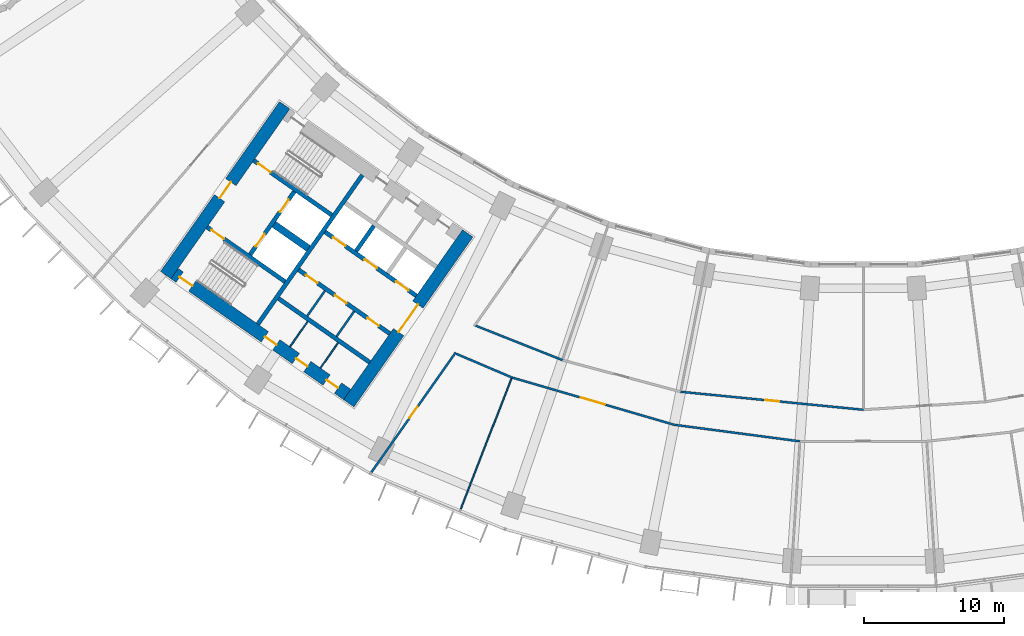
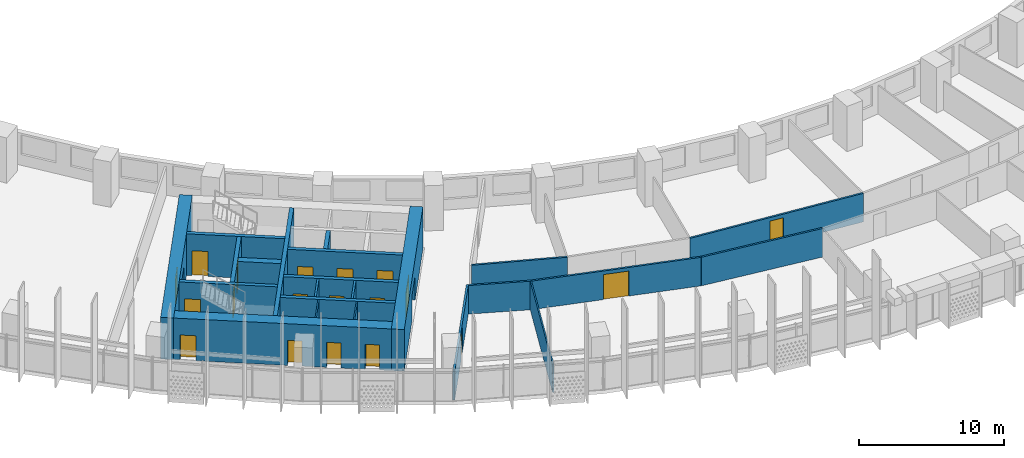
# One storey, part 3 of 32: 23 walls, 19 doors, 19 openings.
"""IFC4 building model written with IfcOpenShell, lengths in metres."""

from ifc_helpers import new_model, si_unit, direction, frame, frame_2d, origin, place, context, subcontext, project, spatial, rectangle, extrude, material, layer, layer_set, type_object, element, fill, save


model = new_model("IFC4")

# Units and contexts
model_context = context("Model", 3, precision=1e-05, world=origin(), true_north=direction((0.0, 1.0)))
body_context = subcontext(model_context, "Body", "Model", "MODEL_VIEW")
ifc_project = project(units=[si_unit("LENGTHUNIT", "METRE"), si_unit("AREAUNIT", "SQUARE_METRE"), si_unit("VOLUMEUNIT", "CUBIC_METRE"), si_unit("PLANEANGLEUNIT", "RADIAN"), si_unit("MASSUNIT", "GRAM", prefix="KILO")], contexts=[model_context])

# Site, building, storey
site_placement = place(None, origin())
site = spatial("IfcSite", under=ifc_project, at=site_placement, CompositionType="ELEMENT")
building_placement = place(site_placement, origin())
building = spatial("IfcBuilding", under=site, at=building_placement, Name="Qamariyya Broadcast Tower", CompositionType="ELEMENT")
storey_placement = place(building_placement, frame((0.0, 0.0, 63.300048828125)))
storey = spatial("IfcBuildingStorey", under=building, at=storey_placement, Name="L12", CompositionType="ELEMENT", Elevation=63.300048828125)

# Wall, opening, door
ifc_material_1 = material(Name="Concrete C70/85", Category="concrete")
ifc_layer_1 = layer(ifc_material_1, 0.89990234375)
ifc_layer_set_1 = layer_set([ifc_layer_1], Name="Core wall 900 mm Concrete C70/85")
wall_type_1 = type_object("IfcWallType", Name="Core wall 900 mm Concrete C70/85", PredefinedType="SHEAR", material=ifc_layer_set_1)
wall_1_placement = place(storey_placement, frame((-36.716796875, -66.3369140625, 0.0), z_axis=(0.0, 0.0, 1.0), x_axis=(0.573577477574, 0.819151315216, 0.0)))
wall_1 = element("IfcWall", 1, at=wall_1_placement, inside=storey, type_object=wall_type_1, Name="k-W-L12-WA", PredefinedType="SHEAR", context=body_context, shape_type="SweptSolid", body=[
    extrude(rectangle(XDim=14.800048828125, YDim=0.89990234375, at=frame_2d((7.39990234375, 0.0))), origin(), (0.0, 0.0, 1.0), 3.5),
])
opening_1_placement = place(wall_1_placement, frame((6.199951171875, 0.0, 0.0)))
opening_1 = element("IfcOpeningElement", 2, at=opening_1_placement, cuts=wall_1, Name="Opening KD3-W1", PredefinedType="OPENING", context=body_context, shape_type="SweptSolid", body=[
    extrude(rectangle(XDim=2.39990234375, YDim=2.10009765625, at=frame_2d((1.199951171875, 1.050048828125))), frame((0.0, 0.4599609375, 0.0), z_axis=(0.0, -1.0, 0.0), x_axis=(1.0, 0.0, 0.0)), (0.0, 0.0, 1.0), 0.919921875),
])
ifc_material_2 = material(Name="Steel fire-resisting door leaf", Category="steel")
door_type_1 = type_object("IfcDoorType", Name="Lift lobby door KD3", OperationType="DOUBLE_DOOR_SINGLE_SWING", PredefinedType="DOOR", material=ifc_material_2)
door_1_placement = place(opening_1_placement, origin())
door_1 = element("IfcDoor", 3, at=door_1_placement, inside=storey, type_object=door_type_1, Name="k-W-L12-WA-D1", OperationType="DOUBLE_DOOR_SINGLE_SWING", OverallHeight=2.10009765625, OverallWidth=2.39990234375, PredefinedType="DOOR", context=body_context, shape_type="SweptSolid", body=[
    extrude(rectangle(XDim=2.39990234375, YDim=2.10009765625, at=frame_2d((1.199951171875, 1.050048828125))), frame((0.0, 0.02490234375, 0.0), z_axis=(0.0, -1.0, 0.0), x_axis=(1.0, 0.0, 0.0)), (0.0, 0.0, 1.0), 0.050048828125),
])
fill(opening_1, door_1)

wall_2_placement = place(storey_placement, frame((-49.778564453125, -57.191162109375, 0.0), z_axis=(0.0, 0.0, 1.0), x_axis=(0.573577477574, 0.819151315216, 0.0)))
wall_2 = element("IfcWall", 4, at=wall_2_placement, inside=storey, type_object=wall_type_1, Name="k-W-L12-WH", PredefinedType="SHEAR", context=body_context, shape_type="SweptSolid", body=[
    extrude(rectangle(XDim=14.800048828125, YDim=0.89990234375, at=frame_2d((7.39990234375, 0.0))), origin(), (0.0, 0.0, 1.0), 3.5),
])
opening_2_placement = place(wall_2_placement, frame((6.699951171875, 0.0, 0.0)))
opening_2 = element("IfcOpeningElement", 5, at=opening_2_placement, cuts=wall_2, Name="Opening KD2-W1", PredefinedType="OPENING", context=body_context, shape_type="SweptSolid", body=[
    extrude(rectangle(XDim=1.39990234375, YDim=2.10009765625, at=frame_2d((0.699951171875, 1.050048828125))), frame((0.0, 0.4599609375, 0.0), z_axis=(0.0, -1.0, 0.0), x_axis=(1.0, 0.0, 0.0)), (0.0, 0.0, 1.0), 0.919921875),
])
door_type_2 = type_object("IfcDoorType", Name="Fire-fighting lobby door KD2", OperationType="DOUBLE_DOOR_SINGLE_SWING", PredefinedType="DOOR", material=ifc_material_2)
door_2_placement = place(opening_2_placement, origin())
door_2 = element("IfcDoor", 6, at=door_2_placement, inside=storey, type_object=door_type_2, Name="k-W-L12-WH-D16", OperationType="DOUBLE_DOOR_SINGLE_SWING", OverallHeight=2.10009765625, OverallWidth=1.39990234375, PredefinedType="DOOR", context=body_context, shape_type="SweptSolid", body=[
    extrude(rectangle(XDim=1.39990234375, YDim=2.10009765625, at=frame_2d((0.699951171875, 1.050048828125))), frame((0.0, 0.02490234375, 0.0), z_axis=(0.0, -1.0, 0.0), x_axis=(1.0, 0.0, 0.0)), (0.0, 0.0, 1.0), 0.050048828125),
])
fill(opening_2, door_2)

# Wall, openings, doors
wall_3_placement = place(storey_placement, frame((-36.827392578125, -65.710205078125, 0.0), z_axis=(0.0, 0.0, 1.0), x_axis=(-0.819153391756, 0.573574511963, 0.0)))
wall_3 = element("IfcWall", 7, at=wall_3_placement, inside=storey, type_object=wall_type_1, Name="k-W-L12-WO", PredefinedType="SHEAR", context=body_context, shape_type="SweptSolid", body=[
    extrude(rectangle(XDim=15.04541015625, YDim=0.89990234375, at=frame_2d((7.522705078125, 0.0))), origin(), (0.0, 0.0, 1.0), 3.5),
])
opening_3_placement = place(wall_3_placement, frame((0.800048828125, 0.0, 0.0)))
opening_3 = element("IfcOpeningElement", 8, at=opening_3_placement, cuts=wall_3, Name="Opening KD4-W2", PredefinedType="OPENING", context=body_context, shape_type="SweptSolid", body=[
    extrude(rectangle(XDim=1.0, YDim=2.10009765625, at=frame_2d((0.5, 1.050048828125))), frame((0.0, 0.4599609375, 0.0), z_axis=(0.0, -1.0, 0.0), x_axis=(1.0, 0.0, 0.0)), (0.0, 0.0, 1.0), 0.919921875),
])
opening_4_placement = place(wall_3_placement, frame((3.47509765625, 0.0, 0.0)))
opening_4 = element("IfcOpeningElement", 9, at=opening_4_placement, cuts=wall_3, Name="Opening KD4-W3", PredefinedType="OPENING", context=body_context, shape_type="SweptSolid", body=[
    extrude(rectangle(XDim=1.0, YDim=2.10009765625, at=frame_2d((0.5, 1.050048828125))), frame((0.0, 0.4599609375, 0.0), z_axis=(0.0, -1.0, 0.0), x_axis=(1.0, 0.0, 0.0)), (0.0, 0.0, 1.0), 0.919921875),
])
opening_5_placement = place(wall_3_placement, frame((6.175048828125, 0.0, 0.0)))
opening_5 = element("IfcOpeningElement", 10, at=opening_5_placement, cuts=wall_3, Name="Opening KD4-W4", PredefinedType="OPENING", context=body_context, shape_type="SweptSolid", body=[
    extrude(rectangle(XDim=1.0, YDim=2.10009765625, at=frame_2d((0.5, 1.050048828125))), frame((0.0, 0.4599609375, 0.0), z_axis=(0.0, -1.0, 0.0), x_axis=(1.0, 0.0, 0.0)), (0.0, 0.0, 1.0), 0.919921875),
])
opening_6_placement = place(wall_3_placement, frame((13.495361328125, 0.0, 0.0)))
opening_6 = element("IfcOpeningElement", 11, at=opening_6_placement, cuts=wall_3, Name="Opening KD1-W3", PredefinedType="OPENING", context=body_context, shape_type="SweptSolid", body=[
    extrude(rectangle(XDim=1.10009765625, YDim=2.10009765625, at=frame_2d((0.550048828125, 1.050048828125))), frame((0.0, 0.4599609375, 0.0), z_axis=(0.0, -1.0, 0.0), x_axis=(1.0, 0.0, 0.0)), (0.0, 0.0, 1.0), 0.919921875),
])
door_type_3 = type_object("IfcDoorType", Name="Riser and plant door KD4", OperationType="SINGLE_SWING_LEFT", PredefinedType="DOOR", material=ifc_material_2)
door_3_placement = place(opening_3_placement, origin())
door_3 = element("IfcDoor", 12, at=door_3_placement, inside=storey, type_object=door_type_3, Name="k-W-L12-WO-D11", OperationType="SINGLE_SWING_RIGHT", OverallHeight=2.10009765625, OverallWidth=1.0, PredefinedType="DOOR", context=body_context, shape_type="SweptSolid", body=[
    extrude(rectangle(XDim=1.0, YDim=2.10009765625, at=frame_2d((0.5, 1.050048828125))), frame((0.0, 0.02490234375, 0.0), z_axis=(0.0, -1.0, 0.0), x_axis=(1.0, 0.0, 0.0)), (0.0, 0.0, 1.0), 0.050048828125),
])
fill(opening_3, door_3)
door_4_placement = place(opening_4_placement, origin())
door_4 = element("IfcDoor", 13, at=door_4_placement, inside=storey, type_object=door_type_3, Name="k-W-L12-WO-D12", OperationType="SINGLE_SWING_LEFT", OverallHeight=2.10009765625, OverallWidth=1.0, PredefinedType="DOOR", context=body_context, shape_type="SweptSolid", body=[
    extrude(rectangle(XDim=1.0, YDim=2.10009765625, at=frame_2d((0.5, 1.050048828125))), frame((0.0, 0.02490234375, 0.0), z_axis=(0.0, -1.0, 0.0), x_axis=(1.0, 0.0, 0.0)), (0.0, 0.0, 1.0), 0.050048828125),
])
fill(opening_4, door_4)
door_5_placement = place(opening_5_placement, origin())
door_5 = element("IfcDoor", 14, at=door_5_placement, inside=storey, type_object=door_type_3, Name="k-W-L12-WO-D13", OperationType="SINGLE_SWING_RIGHT", OverallHeight=2.10009765625, OverallWidth=1.0, PredefinedType="DOOR", context=body_context, shape_type="SweptSolid", body=[
    extrude(rectangle(XDim=1.0, YDim=2.10009765625, at=frame_2d((0.5, 1.050048828125))), frame((0.0, 0.02490234375, 0.0), z_axis=(0.0, -1.0, 0.0), x_axis=(1.0, 0.0, 0.0)), (0.0, 0.0, 1.0), 0.050048828125),
])
fill(opening_5, door_5)
door_type_4 = type_object("IfcDoorType", Name="Stair door KD1", OperationType="SINGLE_SWING_LEFT", PredefinedType="DOOR", material=ifc_material_2)
door_6_placement = place(opening_6_placement, origin())
door_6 = element("IfcDoor", 15, at=door_6_placement, inside=storey, type_object=door_type_4, Name="k-W-L12-WO-D19", OperationType="SINGLE_SWING_LEFT", OverallHeight=2.10009765625, OverallWidth=1.10009765625, PredefinedType="DOOR", context=body_context, shape_type="SweptSolid", body=[
    extrude(rectangle(XDim=1.10009765625, YDim=2.10009765625, at=frame_2d((0.550048828125, 1.050048828125))), frame((0.0, 0.02490234375, 0.0), z_axis=(0.0, -1.0, 0.0), x_axis=(1.0, 0.0, 0.0)), (0.0, 0.0, 1.0), 0.050048828125),
])
fill(opening_6, door_6)

# Wall, opening, door
ifc_material_3 = material(Name="Gypsum board partition")
ifc_layer_2 = layer(ifc_material_3, 0.14990234375)
ifc_layer_set_2 = layer_set([ifc_layer_2], Name="Corridor partition 150 EI 60")
wall_type_2 = type_object("IfcWallType", Name="Corridor partition 150 EI 60", PredefinedType="PARTITIONING", material=ifc_layer_set_2)
wall_4_placement = place(storey_placement, frame((-29.087890625, -62.708251953125, 0.0), z_axis=(0.0, 0.0, 1.0), x_axis=(-0.575411972256, -0.817863718589, 0.0)))
wall_4 = element("IfcWall", 16, at=wall_4_placement, inside=storey, type_object=wall_type_2, Name="Partition L12-002", PredefinedType="PARTITIONING", context=body_context, shape_type="SweptSolid", body=[
    extrude(rectangle(XDim=10.471435546875, YDim=0.14990234375, at=frame_2d((5.23583984375, 0.0))), origin(), (0.0, 0.0, 1.0), 2.39990234375),
])
opening_7_placement = place(wall_4_placement, frame((4.735595703125, 0.0, 0.0)))
opening_7 = element("IfcOpeningElement", 17, at=opening_7_placement, cuts=wall_4, Name="Opening L12-D01", PredefinedType="OPENING", context=body_context, shape_type="SweptSolid", body=[
    extrude(rectangle(XDim=1.0, YDim=2.10009765625, at=frame_2d((0.5, 1.050048828125))), frame((0.0, 0.0849609375, 0.0), z_axis=(0.0, -1.0, 0.0), x_axis=(1.0, 0.0, 0.0)), (0.0, 0.0, 1.0), 0.169921875),
])
ifc_material_4 = material(Name="Timber fire door leaf", Category="wood")
door_type_5 = type_object("IfcDoorType", Name="Fire door 1000 x 2100 FD60", OperationType="NOTDEFINED", PredefinedType="DOOR", material=ifc_material_4)
door_7_placement = place(opening_7_placement, origin())
door_7 = element("IfcDoor", 18, at=door_7_placement, inside=storey, type_object=door_type_5, Name="Door L12-D01", OperationType="SINGLE_SWING_RIGHT", OverallHeight=2.10009765625, OverallWidth=1.0, PredefinedType="DOOR", context=body_context, shape_type="SweptSolid", body=[
    extrude(rectangle(XDim=1.0, YDim=2.10009765625, at=frame_2d((0.5, 1.050048828125))), frame((0.0, 0.02490234375, 0.0), z_axis=(0.0, -1.0, 0.0), x_axis=(1.0, 0.0, 0.0)), (0.0, 0.0, 1.0), 0.050048828125),
])
fill(opening_7, door_7)

# Walls
wall_5_placement = place(storey_placement, frame((-29.06201171875, -62.799072265625, 0.0), z_axis=(0.0, 0.0, 1.0), x_axis=(0.920023602502, -0.391862949052, 0.0)))
element("IfcWall", 19, at=wall_5_placement, inside=storey, type_object=wall_type_2, Name="Partition L12-003", PredefinedType="PARTITIONING", context=body_context, shape_type="SweptSolid", body=[
    extrude(rectangle(XDim=4.329345703125, YDim=0.14990234375, at=frame_2d((2.16455078125, 0.0))), origin(), (0.0, 0.0, 1.0), 2.39990234375),
])
wall_6_placement = place(storey_placement, frame((-27.6572265625, -60.801513671875, 0.0), z_axis=(0.0, 0.0, 1.0), x_axis=(0.929543215203, -0.368713182663, 0.0)))
element("IfcWall", 20, at=wall_6_placement, inside=storey, type_object=wall_type_2, Name="Partition L12-005", PredefinedType="PARTITIONING", context=body_context, shape_type="SweptSolid", body=[
    extrude(rectangle(XDim=6.65380859375, YDim=0.14990234375, at=frame_2d((3.326904296875, 0.0))), origin(), (0.0, 0.0, 1.0), 2.39990234375),
])

# Wall, opening, door
wall_7_placement = place(storey_placement, frame((-13.508544921875, -67.867919921875, 0.0), z_axis=(0.0, 0.0, 1.0), x_axis=(-0.960052620628, 0.279819523311, 0.0)))
wall_7 = element("IfcWall", 21, at=wall_7_placement, inside=storey, type_object=wall_type_2, Name="Partition L12-006", PredefinedType="PARTITIONING", context=body_context, shape_type="SweptSolid", body=[
    extrude(rectangle(XDim=12.0517578125, YDim=0.14990234375, at=frame_2d((6.02587890625, 0.0))), origin(), (0.0, 0.0, 1.0), 2.39990234375),
])
opening_8_placement = place(wall_7_placement, frame((5.125732421875, 0.0, 0.0)))
opening_8 = element("IfcOpeningElement", 22, at=opening_8_placement, cuts=wall_7, Name="Opening L12-D02", PredefinedType="OPENING", context=body_context, shape_type="SweptSolid", body=[
    extrude(rectangle(XDim=1.800048828125, YDim=2.10009765625, at=frame_2d((0.89990234375, 1.050048828125))), frame((0.0, 0.0849609375, 0.0), z_axis=(0.0, -1.0, 0.0), x_axis=(1.0, 0.0, 0.0)), (0.0, 0.0, 1.0), 0.169921875),
])
door_type_6 = type_object("IfcDoorType", Name="Double fire door 1800 x 2100 FD60", OperationType="NOTDEFINED", PredefinedType="DOOR", material=ifc_material_4)
door_8_placement = place(opening_8_placement, origin())
door_8 = element("IfcDoor", 23, at=door_8_placement, inside=storey, type_object=door_type_6, Name="Door L12-D02", OperationType="DOUBLE_DOOR_SINGLE_SWING", OverallHeight=2.10009765625, OverallWidth=1.800048828125, PredefinedType="DOOR", context=body_context, shape_type="SweptSolid", body=[
    extrude(rectangle(XDim=1.800048828125, YDim=2.10009765625, at=frame_2d((0.89990234375, 1.050048828125))), frame((0.0, 0.02490234375, 0.0), z_axis=(0.0, -1.0, 0.0), x_axis=(1.0, 0.0, 0.0)), (0.0, 0.0, 1.0), 0.050048828125),
])
fill(opening_8, door_8)

# Wall
wall_8_placement = place(storey_placement, frame((-13.49169921875, -67.87158203125, 0.0), z_axis=(0.0, 0.0, 1.0), x_axis=(0.991447678191, -0.130504794586, 0.0)))
element("IfcWall", 24, at=wall_8_placement, inside=storey, type_object=wall_type_2, Name="Partition L12-010", PredefinedType="PARTITIONING", context=body_context, shape_type="SweptSolid", body=[
    extrude(rectangle(XDim=9.043212890625, YDim=0.14990234375, at=frame_2d((4.521484375, 0.0))), origin(), (0.0, 0.0, 1.0), 2.39990234375),
])

# Wall, opening, door
wall_9_placement = place(storey_placement, frame((-13.031982421875, -65.516357421875, 0.0), z_axis=(0.0, 0.0, 1.0), x_axis=(0.995183585648, -0.098028724655, 0.0)))
wall_9 = element("IfcWall", 25, at=wall_9_placement, inside=storey, type_object=wall_type_2, Name="Partition L12-011", PredefinedType="PARTITIONING", context=body_context, shape_type="SweptSolid", body=[
    extrude(rectangle(XDim=13.094970703125, YDim=0.14990234375, at=frame_2d((6.54736328125, 0.0))), origin(), (0.0, 0.0, 1.0), 2.39990234375),
])
opening_9_placement = place(wall_9_placement, frame((6.047607421875, 0.0, 0.0)))
opening_9 = element("IfcOpeningElement", 26, at=opening_9_placement, cuts=wall_9, Name="Opening L12-D09", PredefinedType="OPENING", context=body_context, shape_type="SweptSolid", body=[
    extrude(rectangle(XDim=1.0, YDim=2.10009765625, at=frame_2d((0.5, 1.050048828125))), frame((0.0, 0.0849609375, 0.0), z_axis=(0.0, -1.0, 0.0), x_axis=(1.0, 0.0, 0.0)), (0.0, 0.0, 1.0), 0.169921875),
])
door_9_placement = place(opening_9_placement, origin())
door_9 = element("IfcDoor", 27, at=door_9_placement, inside=storey, type_object=door_type_5, Name="Door L12-D09", OperationType="SINGLE_SWING_RIGHT", OverallHeight=2.10009765625, OverallWidth=1.0, PredefinedType="DOOR", context=body_context, shape_type="SweptSolid", body=[
    extrude(rectangle(XDim=1.0, YDim=2.10009765625, at=frame_2d((0.5, 1.050048828125))), frame((0.0, 0.02490234375, 0.0), z_axis=(0.0, -1.0, 0.0), x_axis=(1.0, 0.0, 0.0)), (0.0, 0.0, 1.0), 0.050048828125),
])
fill(opening_9, door_9)

# Walls
ifc_material_5 = material(Name="Concrete C60/75", Category="concrete")
ifc_layer_3 = layer(ifc_material_5, 0.5)
ifc_layer_set_3 = layer_set([ifc_layer_3], Name="Fire-fighting lobby divider wall 500 mm Concrete C60/75")
wall_type_3 = type_object("IfcWallType", Name="Fire-fighting lobby divider wall 500 mm Concrete C60/75", PredefinedType="SOLIDWALL", material=ifc_layer_set_3)
wall_10_placement = place(storey_placement, frame((-39.59912109375, -55.28515625, 0.0), z_axis=(0.0, 0.0, 1.0), x_axis=(-0.819136323161, 0.573598887793, 0.0)))
element("IfcWall", 28, at=wall_10_placement, inside=storey, type_object=wall_type_3, Name="k-W-L12-FD", PredefinedType="SOLIDWALL", context=body_context, shape_type="SweptSolid", body=[
    extrude(rectangle(XDim=2.999755859375, YDim=0.5, at=frame_2d((1.5, 0.0))), origin(), (0.0, 0.0, 1.0), 3.5),
])
ifc_material_6 = material(Name="Gypsum board partition on steel studs", Category="steel")
ifc_layer_4 = layer(ifc_material_6, 0.14990234375)
ifc_layer_set_4 = layer_set([ifc_layer_4], Name="Gypsum board partition 150 mm")
wall_type_4 = type_object("IfcWallType", Name="Gypsum board partition 150 mm", PredefinedType="PARTITIONING", material=ifc_layer_set_4)
for number, where, z_axis, x_axis, name in (
    (29, (-36.330810546875, -59.77099609375, 0.0), (0.0, 0.0, 1.0), (-0.573633636671, -0.819111989218, 0.0), "k-W-L12-SC300"),
    (30, (-38.419677734375, -58.308349609375, 0.0), (0.0, 0.0, 1.0), (-0.573633636671, -0.819111989218, 0.0), "k-W-L12-SC555"),
):
    element("IfcWall", number, at=place(storey_placement, frame(where, z_axis=z_axis, x_axis=x_axis)), inside=storey, type_object=wall_type_4, Name=name, PredefinedType="PARTITIONING", context=body_context, shape_type="SweptSolid", body=[
        extrude(rectangle(XDim=2.199951171875, YDim=0.14990234375, at=frame_2d((1.10009765625, 0.0))), origin(), (0.0, 0.0, 1.0), 3.5),
    ])
ifc_layer_5 = layer(ifc_material_5, 0.300048828125)
ifc_layer_set_5 = layer_set([ifc_layer_5], Name="Lift shaft wall 300 mm Concrete C60/75")
wall_type_5 = type_object("IfcWallType", Name="Lift shaft wall 300 mm Concrete C60/75", PredefinedType="SOLIDWALL", material=ifc_layer_set_5)
wall_11_placement = place(storey_placement, frame((-43.204345703125, -60.69580078125, 0.0), z_axis=(0.0, 0.0, 1.0), x_axis=(0.573571992966, 0.819155155563, 0.0)))
element("IfcWall", 31, at=wall_11_placement, inside=storey, type_object=wall_type_5, Name="k-W-L12-WL", PredefinedType="SOLIDWALL", context=body_context, shape_type="SweptSolid", body=[
    extrude(rectangle(XDim=13.000244140625, YDim=0.300048828125, at=frame_2d((6.5, 0.0))), origin(), (0.0, 0.0, 1.0), 3.5),
])

# Wall, openings, doors
wall_12_placement = place(storey_placement, frame((-31.89453125, -58.66552734375, 0.0), z_axis=(0.0, 0.0, 1.0), x_axis=(-0.819166993208, 0.573555086491, 0.0)))
wall_12 = element("IfcWall", 32, at=wall_12_placement, inside=storey, type_object=wall_type_5, Name="k-W-L12-NF0", PredefinedType="SOLIDWALL", context=body_context, shape_type="SweptSolid", body=[
    extrude(rectangle(XDim=7.9501953125, YDim=0.300048828125, at=frame_2d((3.97509765625, 0.0))), origin(), (0.0, 0.0, 1.0), 3.5),
])
opening_10_placement = place(wall_12_placement, frame((0.675048828125, 0.0, 0.0)))
opening_10 = element("IfcOpeningElement", 33, at=opening_10_placement, cuts=wall_12, Name="Opening LD", PredefinedType="OPENING", context=body_context, shape_type="SweptSolid", body=[
    extrude(rectangle(XDim=1.10009765625, YDim=2.10009765625, at=frame_2d((0.550048828125, 1.050048828125))), frame((0.0, 0.159912109375, 0.0), z_axis=(0.0, -1.0, 0.0), x_axis=(1.0, 0.0, 0.0)), (0.0, 0.0, 1.0), 0.320068359375),
])
opening_11_placement = place(wall_12_placement, frame((3.425048828125, 0.0, 0.0)))
opening_11 = element("IfcOpeningElement", 34, at=opening_11_placement, cuts=wall_12, Name="Opening LD", PredefinedType="OPENING", context=body_context, shape_type="SweptSolid", body=[
    extrude(rectangle(XDim=1.10009765625, YDim=2.10009765625, at=frame_2d((0.550048828125, 1.050048828125))), frame((0.0, 0.159912109375, 0.0), z_axis=(0.0, -1.0, 0.0), x_axis=(1.0, 0.0, 0.0)), (0.0, 0.0, 1.0), 0.320068359375),
])
opening_12_placement = place(wall_12_placement, frame((6.175048828125, 0.0, 0.0)))
opening_12 = element("IfcOpeningElement", 35, at=opening_12_placement, cuts=wall_12, Name="Opening LD", PredefinedType="OPENING", context=body_context, shape_type="SweptSolid", body=[
    extrude(rectangle(XDim=1.10009765625, YDim=2.10009765625, at=frame_2d((0.550048828125, 1.050048828125))), frame((0.0, 0.159912109375, 0.0), z_axis=(0.0, -1.0, 0.0), x_axis=(1.0, 0.0, 0.0)), (0.0, 0.0, 1.0), 0.320068359375),
])
door_type_7 = type_object("IfcDoorType", Name="Lift landing door LD", OperationType="DOUBLE_DOOR_SLIDING", PredefinedType="DOOR", material=ifc_material_2)
door_10_placement = place(opening_10_placement, origin())
door_10 = element("IfcDoor", 36, at=door_10_placement, inside=storey, type_object=door_type_7, Name="k-W-L12-NF0-D2", OperationType="DOUBLE_DOOR_SLIDING", OverallHeight=2.10009765625, OverallWidth=1.10009765625, PredefinedType="DOOR", context=body_context, shape_type="SweptSolid", body=[
    extrude(rectangle(XDim=1.10009765625, YDim=2.10009765625, at=frame_2d((0.550048828125, 1.050048828125))), frame((0.0, 0.02490234375, 0.0), z_axis=(0.0, -1.0, 0.0), x_axis=(1.0, 0.0, 0.0)), (0.0, 0.0, 1.0), 0.050048828125),
])
fill(opening_10, door_10)
door_11_placement = place(opening_11_placement, origin())
door_11 = element("IfcDoor", 37, at=door_11_placement, inside=storey, type_object=door_type_7, Name="k-W-L12-NF0-D3", OperationType="DOUBLE_DOOR_SLIDING", OverallHeight=2.10009765625, OverallWidth=1.10009765625, PredefinedType="DOOR", context=body_context, shape_type="SweptSolid", body=[
    extrude(rectangle(XDim=1.10009765625, YDim=2.10009765625, at=frame_2d((0.550048828125, 1.050048828125))), frame((0.0, 0.02490234375, 0.0), z_axis=(0.0, -1.0, 0.0), x_axis=(1.0, 0.0, 0.0)), (0.0, 0.0, 1.0), 0.050048828125),
])
fill(opening_11, door_11)
door_12_placement = place(opening_12_placement, origin())
door_12 = element("IfcDoor", 38, at=door_12_placement, inside=storey, type_object=door_type_7, Name="k-W-L12-NF0-D4", OperationType="DOUBLE_DOOR_SLIDING", OverallHeight=2.10009765625, OverallWidth=1.10009765625, PredefinedType="DOOR", context=body_context, shape_type="SweptSolid", body=[
    extrude(rectangle(XDim=1.10009765625, YDim=2.10009765625, at=frame_2d((0.550048828125, 1.050048828125))), frame((0.0, 0.02490234375, 0.0), z_axis=(0.0, -1.0, 0.0), x_axis=(1.0, 0.0, 0.0)), (0.0, 0.0, 1.0), 0.050048828125),
])
fill(opening_12, door_12)

# Wall
wall_13_placement = place(storey_placement, frame((-36.19091796875, -55.47412109375, 0.0), z_axis=(0.0, 0.0, 1.0), x_axis=(0.573507030513, 0.819200638399, 0.0)))
element("IfcWall", 39, at=wall_13_placement, inside=storey, type_object=wall_type_5, Name="k-W-L12-ND1", PredefinedType="SOLIDWALL", context=body_context, shape_type="SweptSolid", body=[
    extrude(rectangle(XDim=2.199951171875, YDim=0.300048828125, at=frame_2d((1.10009765625, 0.0))), origin(), (0.0, 0.0, 1.0), 3.5),
])

# Wall, openings, doors
wall_14_placement = place(storey_placement, frame((-33.787353515625, -61.368896484375, 0.0), z_axis=(0.0, 0.0, 1.0), x_axis=(-0.819152564888, 0.573575692858, 0.0)))
wall_14 = element("IfcWall", 40, at=wall_14_placement, inside=storey, type_object=wall_type_5, Name="k-W-L12-SF0", PredefinedType="SOLIDWALL", context=body_context, shape_type="SweptSolid", body=[
    extrude(rectangle(XDim=7.9501953125, YDim=0.300048828125, at=frame_2d((3.97509765625, 0.0))), origin(), (0.0, 0.0, 1.0), 3.5),
])
opening_13_placement = place(wall_14_placement, frame((0.96240234375, 0.0, 0.0)))
opening_13 = element("IfcOpeningElement", 41, at=opening_13_placement, cuts=wall_14, Name="Opening KD6-W1", PredefinedType="OPENING", context=body_context, shape_type="SweptSolid", body=[
    extrude(rectangle(XDim=1.0, YDim=2.10009765625, at=frame_2d((0.5, 1.050048828125))), frame((0.0, 0.159912109375, 0.0), z_axis=(0.0, -1.0, 0.0), x_axis=(1.0, 0.0, 0.0)), (0.0, 0.0, 1.0), 0.320068359375),
])
opening_14_placement = place(wall_14_placement, frame((3.77490234375, 0.0, 0.0)))
opening_14 = element("IfcOpeningElement", 42, at=opening_14_placement, cuts=wall_14, Name="Opening KD4-W1", PredefinedType="OPENING", context=body_context, shape_type="SweptSolid", body=[
    extrude(rectangle(XDim=1.0, YDim=2.10009765625, at=frame_2d((0.5, 1.050048828125))), frame((0.0, 0.159912109375, 0.0), z_axis=(0.0, -1.0, 0.0), x_axis=(1.0, 0.0, 0.0)), (0.0, 0.0, 1.0), 0.320068359375),
])
opening_15_placement = place(wall_14_placement, frame((6.28759765625, 0.0, 0.0)))
opening_15 = element("IfcOpeningElement", 43, at=opening_15_placement, cuts=wall_14, Name="Opening KD6-W2", PredefinedType="OPENING", context=body_context, shape_type="SweptSolid", body=[
    extrude(rectangle(XDim=1.0, YDim=2.10009765625, at=frame_2d((0.5, 1.050048828125))), frame((0.0, 0.159912109375, 0.0), z_axis=(0.0, -1.0, 0.0), x_axis=(1.0, 0.0, 0.0)), (0.0, 0.0, 1.0), 0.320068359375),
])
door_type_8 = type_object("IfcDoorType", Name="Core room door KD6", OperationType="SINGLE_SWING_LEFT", PredefinedType="DOOR", material=ifc_material_2)
door_13_placement = place(opening_13_placement, origin())
door_13 = element("IfcDoor", 44, at=door_13_placement, inside=storey, type_object=door_type_8, Name="k-W-L12-SF0-D5", OperationType="SINGLE_SWING_RIGHT", OverallHeight=2.10009765625, OverallWidth=1.0, PredefinedType="DOOR", context=body_context, shape_type="SweptSolid", body=[
    extrude(rectangle(XDim=1.0, YDim=2.10009765625, at=frame_2d((0.5, 1.050048828125))), frame((0.0, 0.02490234375, 0.0), z_axis=(0.0, -1.0, 0.0), x_axis=(1.0, 0.0, 0.0)), (0.0, 0.0, 1.0), 0.050048828125),
])
fill(opening_13, door_13)
door_14_placement = place(opening_15_placement, origin())
door_14 = element("IfcDoor", 45, at=door_14_placement, inside=storey, type_object=door_type_8, Name="k-W-L12-SF0-D7", OperationType="SINGLE_SWING_RIGHT", OverallHeight=2.10009765625, OverallWidth=1.0, PredefinedType="DOOR", context=body_context, shape_type="SweptSolid", body=[
    extrude(rectangle(XDim=1.0, YDim=2.10009765625, at=frame_2d((0.5, 1.050048828125))), frame((0.0, 0.02490234375, 0.0), z_axis=(0.0, -1.0, 0.0), x_axis=(1.0, 0.0, 0.0)), (0.0, 0.0, 1.0), 0.050048828125),
])
fill(opening_15, door_14)
door_15_placement = place(opening_14_placement, origin())
door_15 = element("IfcDoor", 46, at=door_15_placement, inside=storey, type_object=door_type_3, Name="k-W-L12-SF0-D6", OperationType="SINGLE_SWING_LEFT", OverallHeight=2.10009765625, OverallWidth=1.0, PredefinedType="DOOR", context=body_context, shape_type="SweptSolid", body=[
    extrude(rectangle(XDim=1.0, YDim=2.10009765625, at=frame_2d((0.5, 1.050048828125))), frame((0.0, 0.02490234375, 0.0), z_axis=(0.0, -1.0, 0.0), x_axis=(1.0, 0.0, 0.0)), (0.0, 0.0, 1.0), 0.050048828125),
])
fill(opening_14, door_15)

# Wall
wall_15_placement = place(storey_placement, frame((-35.22119140625, -63.41650390625, 0.0), z_axis=(0.0, 0.0, 1.0), x_axis=(-0.819166993208, 0.573555086491, 0.0)))
element("IfcWall", 47, at=wall_15_placement, inside=storey, type_object=wall_type_5, Name="k-W-L12-SB0", PredefinedType="SOLIDWALL", context=body_context, shape_type="SweptSolid", body=[
    extrude(rectangle(XDim=7.9501953125, YDim=0.300048828125, at=frame_2d((3.97509765625, 0.0))), origin(), (0.0, 0.0, 1.0), 3.5),
])

# Wall, opening, door
wall_16_placement = place(storey_placement, frame((-37.935546875, -52.90966796875, 0.0), z_axis=(0.0, 0.0, 1.0), x_axis=(-0.819147518138, 0.57358290031, 0.0)))
wall_16 = element("IfcWall", 48, at=wall_16_placement, inside=storey, type_object=wall_type_5, Name="k-W-L12-NW", PredefinedType="SOLIDWALL", context=body_context, shape_type="SweptSolid", body=[
    extrude(rectangle(XDim=6.79541015625, YDim=0.300048828125, at=frame_2d((3.397705078125, 0.0))), origin(), (0.0, 0.0, 1.0), 3.5),
])
opening_16_placement = place(wall_16_placement, frame((5.3203125, 0.0, 0.0)))
opening_16 = element("IfcOpeningElement", 49, at=opening_16_placement, cuts=wall_16, Name="Opening KD1-W2", PredefinedType="OPENING", context=body_context, shape_type="SweptSolid", body=[
    extrude(rectangle(XDim=1.10009765625, YDim=2.10009765625, at=frame_2d((0.550048828125, 1.050048828125))), frame((0.0, 0.159912109375, 0.0), z_axis=(0.0, -1.0, 0.0), x_axis=(1.0, 0.0, 0.0)), (0.0, 0.0, 1.0), 0.320068359375),
])
door_16_placement = place(opening_16_placement, origin())
door_16 = element("IfcDoor", 50, at=door_16_placement, inside=storey, type_object=door_type_4, Name="k-W-L12-NW-D18", OperationType="SINGLE_SWING_LEFT", OverallHeight=2.10009765625, OverallWidth=1.10009765625, PredefinedType="DOOR", context=body_context, shape_type="SweptSolid", body=[
    extrude(rectangle(XDim=1.10009765625, YDim=2.10009765625, at=frame_2d((0.550048828125, 1.050048828125))), frame((0.0, 0.02490234375, 0.0), z_axis=(0.0, -1.0, 0.0), x_axis=(1.0, 0.0, 0.0)), (0.0, 0.0, 1.0), 0.050048828125),
])
fill(opening_16, door_16)

wall_17_placement = place(storey_placement, frame((-41.262451171875, -57.66064453125, 0.0), z_axis=(0.0, 0.0, 1.0), x_axis=(-0.819164398642, 0.573558792102, 0.0)))
wall_17 = element("IfcWall", 51, at=wall_17_placement, inside=storey, type_object=wall_type_5, Name="k-W-L12-SW", PredefinedType="SOLIDWALL", context=body_context, shape_type="SweptSolid", body=[
    extrude(rectangle(XDim=6.795166015625, YDim=0.300048828125, at=frame_2d((3.3974609375, 0.0))), origin(), (0.0, 0.0, 1.0), 3.5),
])
opening_17_placement = place(wall_17_placement, frame((5.3203125, 0.0, 0.0)))
opening_17 = element("IfcOpeningElement", 52, at=opening_17_placement, cuts=wall_17, Name="Opening KD1-W4", PredefinedType="OPENING", context=body_context, shape_type="SweptSolid", body=[
    extrude(rectangle(XDim=1.10009765625, YDim=2.10009765625, at=frame_2d((0.550048828125, 1.050048828125))), frame((0.0, 0.159912109375, 0.0), z_axis=(0.0, -1.0, 0.0), x_axis=(1.0, 0.0, 0.0)), (0.0, 0.0, 1.0), 0.320068359375),
])
door_17_placement = place(opening_17_placement, origin())
door_17 = element("IfcDoor", 53, at=door_17_placement, inside=storey, type_object=door_type_4, Name="k-W-L12-SW-D20", OperationType="SINGLE_SWING_LEFT", OverallHeight=2.10009765625, OverallWidth=1.10009765625, PredefinedType="DOOR", context=body_context, shape_type="SweptSolid", body=[
    extrude(rectangle(XDim=1.10009765625, YDim=2.10009765625, at=frame_2d((0.550048828125, 1.050048828125))), frame((0.0, 0.02490234375, 0.0), z_axis=(0.0, -1.0, 0.0), x_axis=(1.0, 0.0, 0.0)), (0.0, 0.0, 1.0), 0.050048828125),
])
fill(opening_17, door_17)

# Wall, openings, doors
wall_18_placement = place(storey_placement, frame((-43.756591796875, -55.731201171875, 0.0), z_axis=(0.0, 0.0, 1.0), x_axis=(0.573536818435, 0.819179783625, 0.0)))
wall_18 = element("IfcWall", 54, at=wall_18_placement, inside=storey, type_object=wall_type_5, Name="k-W-L12-FF", PredefinedType="SOLIDWALL", context=body_context, shape_type="SweptSolid", body=[
    extrude(rectangle(XDim=5.500244140625, YDim=0.300048828125, at=frame_2d((2.75, 0.0))), origin(), (0.0, 0.0, 1.0), 3.5),
])
opening_18_placement = place(wall_18_placement, frame((0.699951171875, 0.0, 0.0)))
opening_18 = element("IfcOpeningElement", 55, at=opening_18_placement, cuts=wall_18, Name="Opening LD", PredefinedType="OPENING", context=body_context, shape_type="SweptSolid", body=[
    extrude(rectangle(XDim=1.10009765625, YDim=2.10009765625, at=frame_2d((0.550048828125, 1.050048828125))), frame((0.0, 0.159912109375, 0.0), z_axis=(0.0, -1.0, 0.0), x_axis=(1.0, 0.0, 0.0)), (0.0, 0.0, 1.0), 0.320068359375),
])
opening_19_placement = place(wall_18_placement, frame((3.699951171875, 0.0, 0.0)))
opening_19 = element("IfcOpeningElement", 56, at=opening_19_placement, cuts=wall_18, Name="Opening LD", PredefinedType="OPENING", context=body_context, shape_type="SweptSolid", body=[
    extrude(rectangle(XDim=1.10009765625, YDim=2.10009765625, at=frame_2d((0.550048828125, 1.050048828125))), frame((0.0, 0.159912109375, 0.0), z_axis=(0.0, -1.0, 0.0), x_axis=(1.0, 0.0, 0.0)), (0.0, 0.0, 1.0), 0.320068359375),
])
door_18_placement = place(opening_18_placement, origin())
door_18 = element("IfcDoor", 57, at=door_18_placement, inside=storey, type_object=door_type_7, Name="k-W-L12-FF-D14", OperationType="DOUBLE_DOOR_SLIDING", OverallHeight=2.10009765625, OverallWidth=1.10009765625, PredefinedType="DOOR", context=body_context, shape_type="SweptSolid", body=[
    extrude(rectangle(XDim=1.10009765625, YDim=2.10009765625, at=frame_2d((0.550048828125, 1.050048828125))), frame((0.0, 0.02490234375, 0.0), z_axis=(0.0, -1.0, 0.0), x_axis=(1.0, 0.0, 0.0)), (0.0, 0.0, 1.0), 0.050048828125),
])
fill(opening_18, door_18)
door_19_placement = place(opening_19_placement, origin())
door_19 = element("IfcDoor", 58, at=door_19_placement, inside=storey, type_object=door_type_7, Name="k-W-L12-FF-D15", OperationType="DOUBLE_DOOR_SLIDING", OverallHeight=2.10009765625, OverallWidth=1.10009765625, PredefinedType="DOOR", context=body_context, shape_type="SweptSolid", body=[
    extrude(rectangle(XDim=1.10009765625, YDim=2.10009765625, at=frame_2d((0.550048828125, 1.050048828125))), frame((0.0, 0.02490234375, 0.0), z_axis=(0.0, -1.0, 0.0), x_axis=(1.0, 0.0, 0.0)), (0.0, 0.0, 1.0), 0.050048828125),
])
fill(opening_19, door_19)

# Walls
ifc_layer_6 = layer(ifc_material_3, 0.10009765625)
ifc_layer_set_6 = layer_set([ifc_layer_6], Name="Partition 100")
wall_type_6 = type_object("IfcWallType", Name="Partition 100", PredefinedType="PARTITIONING", material=ifc_layer_set_6)
wall_19_placement = place(storey_placement, frame((-28.73876953125, -73.907470703125, 0.0), z_axis=(0.0, 0.0, 1.0), x_axis=(0.362407472517, 0.932019755082, 0.0)))
element("IfcWall", 59, at=wall_19_placement, inside=storey, type_object=wall_type_6, Name="Partition L12-004", PredefinedType="PARTITIONING", context=body_context, shape_type="SweptSolid", body=[
    extrude(rectangle(XDim=10.0234375, YDim=0.10009765625, at=frame_2d((5.01171875, 0.0))), origin(), (0.0, 0.0, 1.0), 2.39990234375),
])
ifc_material_7 = material(Name="Fire-rated gypsum shaft liner on steel studs", Category="steel")
ifc_layer_7 = layer(ifc_material_7, 0.10009765625)
ifc_layer_set_7 = layer_set([ifc_layer_7], Name="Riser wall 100 mm")
wall_type_7 = type_object("IfcWallType", Name="Riser wall 100 mm", PredefinedType="PLUMBINGWALL", material=ifc_layer_set_7)
wall_20_placement = place(storey_placement, frame((-37.47802734375, -62.01953125, 0.0), z_axis=(0.0, 0.0, 1.0), x_axis=(-0.573581496053, -0.819148501424, 0.0)))
element("IfcWall", 60, at=wall_20_placement, inside=storey, type_object=wall_type_7, Name="k-W-L12-SP265", PredefinedType="PLUMBINGWALL", context=body_context, shape_type="SweptSolid", body=[
    extrude(rectangle(XDim=2.2001953125, YDim=0.10009765625, at=frame_2d((1.10009765625, 0.0))), origin(), (0.0, 0.0, 1.0), 3.5),
])
wall_21_placement = place(storey_placement, frame((-39.64892578125, -60.49951171875, 0.0), z_axis=(0.0, 0.0, 1.0), x_axis=(-0.573507030513, -0.819200638399, 0.0)))
element("IfcWall", 61, at=wall_21_placement, inside=storey, type_object=wall_type_7, Name="k-W-L12-SP530", PredefinedType="PLUMBINGWALL", context=body_context, shape_type="SweptSolid", body=[
    extrude(rectangle(XDim=2.199951171875, YDim=0.10009765625, at=frame_2d((1.10009765625, 0.0))), origin(), (0.0, 0.0, 1.0), 3.5),
])

save(model, "model.ifc")
